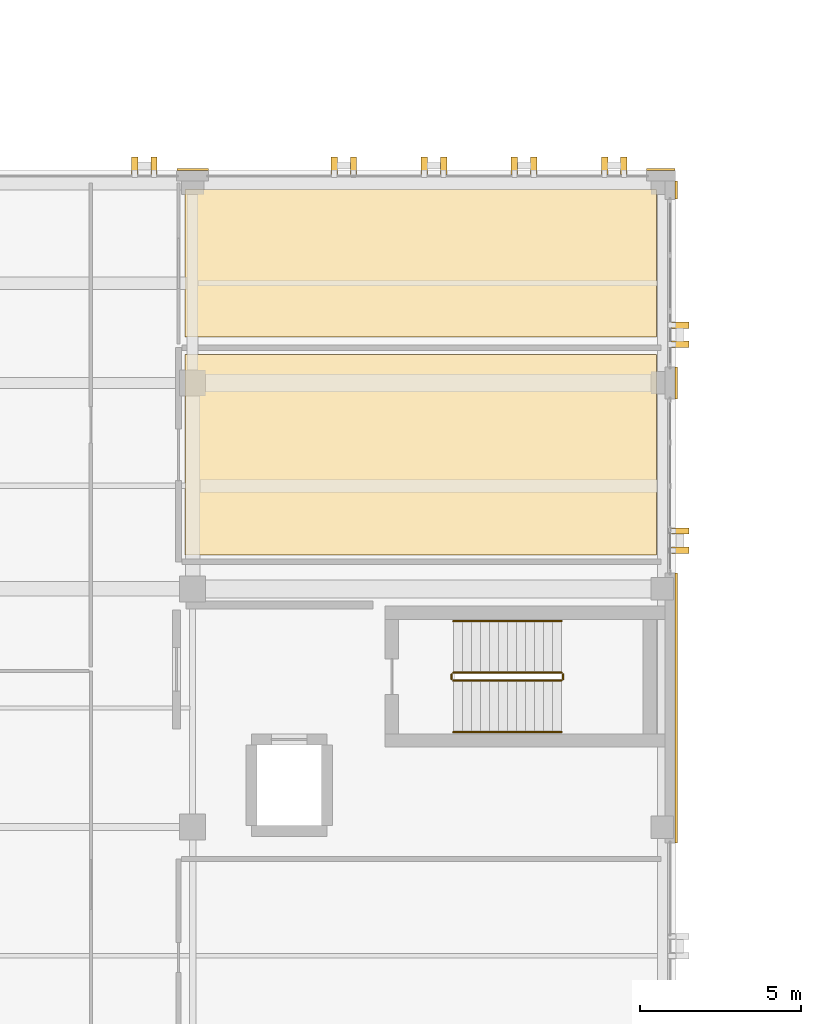
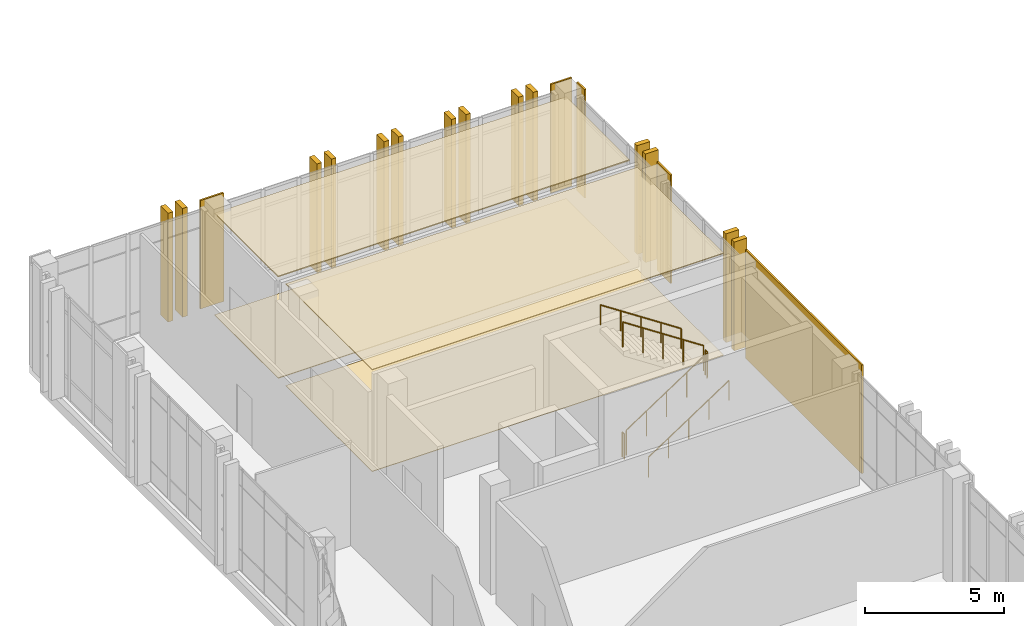
# One storey, part 182 of 189: 23 coverings, 6 railings.
"""IFC4 building model written with IfcOpenShell, lengths in metres."""

from ifc_helpers import new_model, si_unit, direction, frame, origin, origin_2d, place, context, subcontext, project, spatial, polyline, rectangle, circle, outline, extrude, material, layer, layer_set, type_object, element, save


model = new_model("IFC4")

# Units and contexts
model_context = context("Model", 3, precision=1e-05, world=origin(), true_north=direction((0.0, 1.0)))
body_context = subcontext(model_context, "Body", "Model", "MODEL_VIEW")
ifc_project = project(units=[si_unit("LENGTHUNIT", "METRE"), si_unit("AREAUNIT", "SQUARE_METRE"), si_unit("VOLUMEUNIT", "CUBIC_METRE"), si_unit("PLANEANGLEUNIT", "RADIAN"), si_unit("MASSUNIT", "GRAM", prefix="KILO")], contexts=[model_context])

# Site, building, storey
site_placement = place(None, origin())
site = spatial("IfcSite", under=ifc_project, at=site_placement, CompositionType="ELEMENT")
building_placement = place(site_placement, origin())
building = spatial("IfcBuilding", under=site, at=building_placement, Name="Qalavern Law Courts", CompositionType="ELEMENT")
storey_placement = place(building_placement, frame((0.0, 0.0, 5.39990234375)))
storey = spatial("IfcBuildingStorey", under=building, at=storey_placement, Name="L01", CompositionType="ELEMENT", Elevation=5.39990234375)

# Coverings
ifc_material_1 = material(Name="Precast concrete C40/50", Category="concrete")
ifc_layer_1 = layer(ifc_material_1, 0.199951171875)
ifc_layer_set_1 = layer_set([ifc_layer_1], Name="Precast concrete C40/50")
covering_type_1 = type_object("IfcCoveringType", Name="ENV-BLD-1", PredefinedType="CLADDING", material=ifc_layer_set_1)
for number, where, z_axis, x_axis, name in (
    (1, (106.947509765625, 74.0, 0.005126953125), (0.0, 0.0, 1.0), (1.0, 0.0, 0.0), "Absheron stone facade blade 0547"),
    (2, (106.947509765625, 74.60009765625, 0.005126953125), (0.0, 0.0, 1.0), (1.0, 0.0, 0.0), "Absheron stone facade blade 0548"),
    (3, (106.947509765625, 80.39990234375, 0.005126953125), (0.0, 0.0, 1.0), (1.0, 0.0, 0.0), "Absheron stone facade blade 0549"),
    (4, (106.947509765625, 81.0, 0.005126953125), (0.0, 0.0, 1.0), (1.0, 0.0, 0.0), "Absheron stone facade blade 0550"),
    (5, (105.199951171875, 85.947509765625, 0.005126953125), (0.0, 0.0, 1.0), (0.0, 1.0, 0.0), "Absheron stone facade blade 0551"),
    (6, (104.60009765625, 85.947509765625, 0.005126953125), (0.0, 0.0, 1.0), (0.0, 1.0, 0.0), "Absheron stone facade blade 0552"),
    (7, (102.39990234375, 85.947509765625, 0.005126953125), (0.0, 0.0, 1.0), (0.0, 1.0, 0.0), "Absheron stone facade blade 0553"),
    (8, (101.800048828125, 85.947509765625, 0.005126953125), (0.0, 0.0, 1.0), (0.0, 1.0, 0.0), "Absheron stone facade blade 0554"),
    (9, (99.60009765625, 85.947509765625, 0.005126953125), (0.0, 0.0, 1.0), (0.0, 1.0, 0.0), "Absheron stone facade blade 0555"),
    (10, (99.0, 85.947509765625, 0.005126953125), (0.0, 0.0, 1.0), (0.0, 1.0, 0.0), "Absheron stone facade blade 0556"),
    (11, (96.800048828125, 85.947509765625, 0.005126953125), (0.0, 0.0, 1.0), (0.0, 1.0, 0.0), "Absheron stone facade blade 0557"),
    (12, (96.199951171875, 85.947509765625, 0.005126953125), (0.0, 0.0, 1.0), (0.0, 1.0, 0.0), "Absheron stone facade blade 0558"),
    (13, (90.60009765625, 85.947509765625, 0.005126953125), (0.0, 0.0, 1.0), (0.0, 1.0, 0.0), "Absheron stone facade blade 0559"),
    (14, (90.0, 85.947509765625, 0.005126953125), (0.0, 0.0, 1.0), (0.0, 1.0, 0.0), "Absheron stone facade blade 0560"),
):
    element("IfcCovering", number, at=place(storey_placement, frame(where, z_axis=z_axis, x_axis=x_axis)), inside=storey, type_object=covering_type_1, Name=name, PredefinedType="CLADDING", context=body_context, shape_type="SweptSolid", body=[
        extrude(rectangle(XDim=0.5400390625, YDim=0.199951171875, at=origin_2d()), origin(), (0.0, 0.0, 1.0), 4.7900390625),
    ])
ifc_layer_2 = layer(ifc_material_1, 0.072021484375)
ifc_layer_set_2 = layer_set([ifc_layer_2], Name="Precast concrete C40/50")
covering_type_2 = type_object("IfcCoveringType", Name="ENV-CLD-2", PredefinedType="CLADDING", material=ifc_layer_set_2)
covering_1_placement = place(storey_placement, frame((106.8330078125, 69.10009765625, 0.01025390625), z_axis=(0.0, 0.0, 1.0), x_axis=(0.0, 1.0, 0.0)))
element("IfcCovering", 15, at=covering_1_placement, inside=storey, type_object=covering_type_2, Name="V4 Absheron limestone pier facing L01 east 4", PredefinedType="CLADDING", context=body_context, shape_type="SweptSolid", body=[
    extrude(rectangle(XDim=8.3798828125, YDim=0.072021484375, at=origin_2d()), origin(), (0.0, 0.0, 1.0), 4.780029296875),
])
covering_2_placement = place(storey_placement, frame((106.8330078125, 79.199951171875, 0.01025390625), z_axis=(0.0, 0.0, 1.0), x_axis=(0.0, 1.0, 0.0)))
element("IfcCovering", 16, at=covering_2_placement, inside=storey, type_object=covering_type_2, Name="V4 Absheron limestone pier facing L01 east 5", PredefinedType="CLADDING", context=body_context, shape_type="SweptSolid", body=[
    extrude(rectangle(XDim=0.97998046875, YDim=0.072021484375, at=origin_2d()), origin(), (0.0, 0.0, 1.0), 4.780029296875),
])
covering_3_placement = place(storey_placement, frame((106.8330078125, 85.18994140625, 0.01025390625), z_axis=(0.0, 0.0, 1.0), x_axis=(0.0, 1.0, 0.0)))
element("IfcCovering", 17, at=covering_3_placement, inside=storey, type_object=covering_type_2, Name="V4 Absheron limestone pier facing L01 east 6", PredefinedType="CLADDING", context=body_context, shape_type="SweptSolid", body=[
    extrude(rectangle(XDim=0.56005859375, YDim=0.072021484375, at=origin_2d()), origin(), (0.0, 0.0, 1.0), 4.780029296875),
])
covering_4_placement = place(storey_placement, frame((106.35009765625, 85.8330078125, 0.01025390625), z_axis=(0.0, 0.0, 1.0), x_axis=(-1.0, 0.0, 0.0)))
element("IfcCovering", 18, at=covering_4_placement, inside=storey, type_object=covering_type_2, Name="V4 Absheron limestone pier facing L01 north 1", PredefinedType="CLADDING", context=body_context, shape_type="SweptSolid", body=[
    extrude(rectangle(XDim=0.8798828125, YDim=0.072021484375, at=origin_2d()), origin(), (0.0, 0.0, 1.0), 4.780029296875),
])
covering_5_placement = place(storey_placement, frame((91.800048828125, 85.8330078125, 0.01025390625), z_axis=(0.0, 0.0, 1.0), x_axis=(-1.0, 0.0, 0.0)))
element("IfcCovering", 19, at=covering_5_placement, inside=storey, type_object=covering_type_2, Name="V4 Absheron limestone pier facing L01 north 2", PredefinedType="CLADDING", context=body_context, shape_type="SweptSolid", body=[
    extrude(rectangle(XDim=0.97998046875, YDim=0.072021484375, at=origin_2d()), origin(), (0.0, 0.0, 1.0), 4.780029296875),
])
ifc_material_2 = material(Name="Perforated gypsum and mineral-wool acoustic ceiling")
ifc_layer_3 = layer(ifc_material_2, 0.0380859375)
ifc_layer_set_3 = layer_set([ifc_layer_3], Name="Perforated gypsum and mineral-wool acoustic ceiling")
covering_type_3 = type_object("IfcCoveringType", Name="INT-CEIL-1", PredefinedType="CEILING", material=ifc_layer_set_3)
covering_6_placement = place(storey_placement, frame((0.0, 0.0, 4.47216796875)))
element("IfcCovering", 20, at=covering_6_placement, inside=storey, type_object=covering_type_3, Name="Civil Courtroom acoustic ceiling L01", PredefinedType="CEILING", context=body_context, shape_type="SweptSolid", body=[
    extrude(outline(polyline([(91.570068359375, 73.85009765625), (106.2099609375, 73.85009765625), (106.2099609375, 80.0849609375), (91.570068359375, 80.0849609375), (91.570068359375, 73.85009765625)])), origin(), (0.0, 0.0, 1.0), 0.037841796875),
])
ifc_layer_4 = layer(ifc_material_2, 0.0458984375)
ifc_layer_set_4 = layer_set([ifc_layer_4], Name="Perforated gypsum and mineral-wool acoustic ceiling")
covering_type_4 = type_object("IfcCoveringType", Name="INT-CEIL-2", PredefinedType="CEILING", material=ifc_layer_set_4)
covering_7_placement = place(storey_placement, frame((0.0, 0.0, 4.464111328125)))
element("IfcCovering", 21, at=covering_7_placement, inside=storey, type_object=covering_type_4, Name="Commercial Courtroom acoustic ceiling L01", PredefinedType="CEILING", context=body_context, shape_type="SweptSolid", body=[
    extrude(outline(polyline([(91.570068359375, 80.625), (106.2099609375, 80.625), (106.2099609375, 85.2099609375), (91.570068359375, 85.2099609375), (91.570068359375, 80.625)])), origin(), (0.0, 0.0, 1.0), 0.0458984375),
])
ifc_material_3 = material(Name="Acoustic engineered oak courtroom flooring")
ifc_layer_5 = layer(ifc_material_3, 0.02197265625)
ifc_layer_set_5 = layer_set([ifc_layer_5], Name="Acoustic engineered oak courtroom flooring")
covering_type_5 = type_object("IfcCoveringType", Name="INT-FLR-1", PredefinedType="FLOORING", material=ifc_layer_set_5)
covering_8_placement = place(storey_placement, origin())
element("IfcCovering", 22, at=covering_8_placement, inside=storey, type_object=covering_type_5, Name="Civil Courtroom finish flooring L01", PredefinedType="FLOORING", context=body_context, shape_type="SweptSolid", body=[
    extrude(outline(polyline([(91.570068359375, 73.85009765625), (106.2099609375, 73.85009765625), (106.2099609375, 80.0849609375), (91.570068359375, 80.0849609375), (91.570068359375, 73.85009765625)])), origin(), (0.0, 0.0, 1.0), 0.022216796875),
])
ifc_material_4 = material(Name="Polished Absheron stone terrazzo flooring", Category="masonry")
ifc_layer_6 = layer(ifc_material_4, 0.030029296875)
ifc_layer_set_6 = layer_set([ifc_layer_6], Name="Polished Absheron stone terrazzo flooring")
covering_type_6 = type_object("IfcCoveringType", Name="INT-FLR-2", PredefinedType="FLOORING", material=ifc_layer_set_6)
covering_9_placement = place(storey_placement, origin())
element("IfcCovering", 23, at=covering_9_placement, inside=storey, type_object=covering_type_6, Name="Commercial Courtroom finish flooring L01", PredefinedType="FLOORING", context=body_context, shape_type="SweptSolid", body=[
    extrude(outline(polyline([(91.570068359375, 80.625), (106.2099609375, 80.625), (106.2099609375, 85.2099609375), (91.570068359375, 85.2099609375), (91.570068359375, 80.625)])), origin(), (0.0, 0.0, 1.0), 0.030029296875),
])

# Railings
ifc_material_5 = material(Name="Steel S355", Category="steel")
railing_type_1 = type_object("IfcRailingType", Name="INT-GUARD-1120", PredefinedType="BALUSTRADE", material=ifc_material_5)
railing_1_placement = place(storey_placement, frame((99.89990234375, 69.949951171875, 0.184814453125)))
element("IfcRailing", 24, at=railing_1_placement, inside=storey, type_object=railing_type_1, Name="L01 ST-K1B stair guard 1", PredefinedType="BALUSTRADE", context=body_context, shape_type="SweptSolid", body=[
    extrude(circle(Radius=0.02392578125, at=origin_2d()), frame((0.0, 0.0, 1.09619140625), z_axis=(0.834876476806, 0.0, 0.550437342915), x_axis=(0.0, 1.0, 0.0)), (0.0, 0.0, 1.0), 4.024658203125),
    extrude(circle(Radius=0.02099609375, at=origin_2d()), origin(), (0.0, 0.0, 1.0), 1.072021484375),
    extrude(circle(Radius=0.02099609375, at=origin_2d()), frame((0.840087890625, 0.0, 0.5537109375)), (0.0, 0.0, 1.0), 1.072021484375),
    extrude(circle(Radius=0.02099609375, at=origin_2d()), frame((1.68017578125, 0.0, 1.107666015625)), (0.0, 0.0, 1.0), 1.072021484375),
    extrude(circle(Radius=0.02099609375, at=origin_2d()), frame((2.52001953125, 0.0, 1.66162109375)), (0.0, 0.0, 1.0), 1.072021484375),
    extrude(circle(Radius=0.02099609375, at=origin_2d()), frame((3.360107421875, 0.0, 2.21533203125)), (0.0, 0.0, 1.0), 1.072021484375),
])
railing_2_placement = place(storey_placement, frame((103.31005859375, 70.0, 2.400146484375)))
element("IfcRailing", 25, at=railing_2_placement, inside=storey, type_object=railing_type_1, Name="L01 ST-K1B stair guard 2", PredefinedType="BALUSTRADE", context=body_context, shape_type="SweptSolid", body=[
    extrude(circle(Radius=0.02392578125, at=origin_2d()), frame((0.0, 0.0, 1.09619140625), z_axis=(0.0, 1.0, 0.0), x_axis=(-1.0, 0.0, 0.0)), (0.0, 0.0, 1.0), 0.14990234375),
    extrude(circle(Radius=0.02099609375, at=origin_2d()), origin(), (0.0, 0.0, 1.0), 1.072021484375),
    extrude(circle(Radius=0.02099609375, at=origin_2d()), frame((0.0, 0.14990234375, 0.0)), (0.0, 0.0, 1.0), 1.072021484375),
])
railing_3_placement = place(storey_placement, frame((103.260009765625, 70.199951171875, 2.584716796875)))
element("IfcRailing", 26, at=railing_3_placement, inside=storey, type_object=railing_type_1, Name="L01 ST-K1B stair guard 3", PredefinedType="BALUSTRADE", context=body_context, shape_type="SweptSolid", body=[
    extrude(circle(Radius=0.02392578125, at=origin_2d()), frame((0.0, 0.0, 1.09619140625), z_axis=(-0.834876476806, 0.0, 0.550437342915), x_axis=(0.0, -1.0, 0.0)), (0.0, 0.0, 1.0), 4.024658203125),
    extrude(circle(Radius=0.02099609375, at=origin_2d()), origin(), (0.0, 0.0, 1.0), 1.072021484375),
    extrude(circle(Radius=0.02099609375, at=origin_2d()), frame((-0.840087890625, 0.0, 0.5537109375)), (0.0, 0.0, 1.0), 1.072021484375),
    extrude(circle(Radius=0.02099609375, at=origin_2d()), frame((-1.68017578125, 0.0, 1.107666015625)), (0.0, 0.0, 1.0), 1.072021484375),
    extrude(circle(Radius=0.02099609375, at=origin_2d()), frame((-2.52001953125, 0.0, 1.66162109375)), (0.0, 0.0, 1.0), 1.072021484375),
    extrude(circle(Radius=0.02099609375, at=origin_2d()), frame((-3.360107421875, 0.0, 2.21533203125)), (0.0, 0.0, 1.0), 1.072021484375),
])
railing_4_placement = place(storey_placement, frame((99.85009765625, 70.0, 0.0)))
element("IfcRailing", 27, at=railing_4_placement, inside=storey, type_object=railing_type_1, Name="L01 ST-K1B stair guard 4", PredefinedType="BALUSTRADE", context=body_context, shape_type="SweptSolid", body=[
    extrude(circle(Radius=0.02392578125, at=origin_2d()), frame((0.0, 0.0, 1.09619140625), z_axis=(0.0, 1.0, 0.0), x_axis=(-1.0, 0.0, 0.0)), (0.0, 0.0, 1.0), 0.14990234375),
    extrude(circle(Radius=0.02099609375, at=origin_2d()), origin(), (0.0, 0.0, 1.0), 1.072021484375),
    extrude(circle(Radius=0.02099609375, at=origin_2d()), frame((0.0, 0.14990234375, 0.0)), (0.0, 0.0, 1.0), 1.072021484375),
])
railing_type_2 = type_object("IfcRailingType", Name="INT-HRAIL-920", PredefinedType="HANDRAIL", material=ifc_material_5)
railing_5_placement = place(storey_placement, frame((99.89990234375, 68.35009765625, 0.184814453125)))
element("IfcRailing", 28, at=railing_5_placement, inside=storey, type_object=railing_type_2, Name="L01 ST-K1B stair handrail 1", PredefinedType="HANDRAIL", context=body_context, shape_type="SweptSolid", body=[
    extrude(circle(Radius=0.02392578125, at=origin_2d()), frame((0.0, 0.0, 0.8759765625), z_axis=(0.834876476806, 0.0, 0.550437342915), x_axis=(0.0, 1.0, 0.0)), (0.0, 0.0, 1.0), 4.024658203125),
    extrude(circle(Radius=0.02099609375, at=origin_2d()), origin(), (0.0, 0.0, 1.0), 0.851806640625),
    extrude(circle(Radius=0.02099609375, at=origin_2d()), frame((0.840087890625, 0.0, 0.5537109375)), (0.0, 0.0, 1.0), 0.851806640625),
    extrude(circle(Radius=0.02099609375, at=origin_2d()), frame((1.68017578125, 0.0, 1.107666015625)), (0.0, 0.0, 1.0), 0.851806640625),
    extrude(circle(Radius=0.02099609375, at=origin_2d()), frame((2.52001953125, 0.0, 1.66162109375)), (0.0, 0.0, 1.0), 0.851806640625),
    extrude(circle(Radius=0.02099609375, at=origin_2d()), frame((3.360107421875, 0.0, 2.21533203125)), (0.0, 0.0, 1.0), 0.851806640625),
])
railing_6_placement = place(storey_placement, frame((103.260009765625, 71.800048828125, 2.584716796875)))
element("IfcRailing", 29, at=railing_6_placement, inside=storey, type_object=railing_type_2, Name="L01 ST-K1B stair handrail 2", PredefinedType="HANDRAIL", context=body_context, shape_type="SweptSolid", body=[
    extrude(circle(Radius=0.02392578125, at=origin_2d()), frame((0.0, 0.0, 0.8759765625), z_axis=(-0.834876476806, 0.0, 0.550437342915), x_axis=(0.0, -1.0, 0.0)), (0.0, 0.0, 1.0), 4.024658203125),
    extrude(circle(Radius=0.02099609375, at=origin_2d()), origin(), (0.0, 0.0, 1.0), 0.851806640625),
    extrude(circle(Radius=0.02099609375, at=origin_2d()), frame((-0.840087890625, 0.0, 0.5537109375)), (0.0, 0.0, 1.0), 0.851806640625),
    extrude(circle(Radius=0.02099609375, at=origin_2d()), frame((-1.68017578125, 0.0, 1.107666015625)), (0.0, 0.0, 1.0), 0.851806640625),
    extrude(circle(Radius=0.02099609375, at=origin_2d()), frame((-2.52001953125, 0.0, 1.66162109375)), (0.0, 0.0, 1.0), 0.851806640625),
    extrude(circle(Radius=0.02099609375, at=origin_2d()), frame((-3.360107421875, 0.0, 2.21533203125)), (0.0, 0.0, 1.0), 0.851806640625),
])

save(model, "model.ifc")
